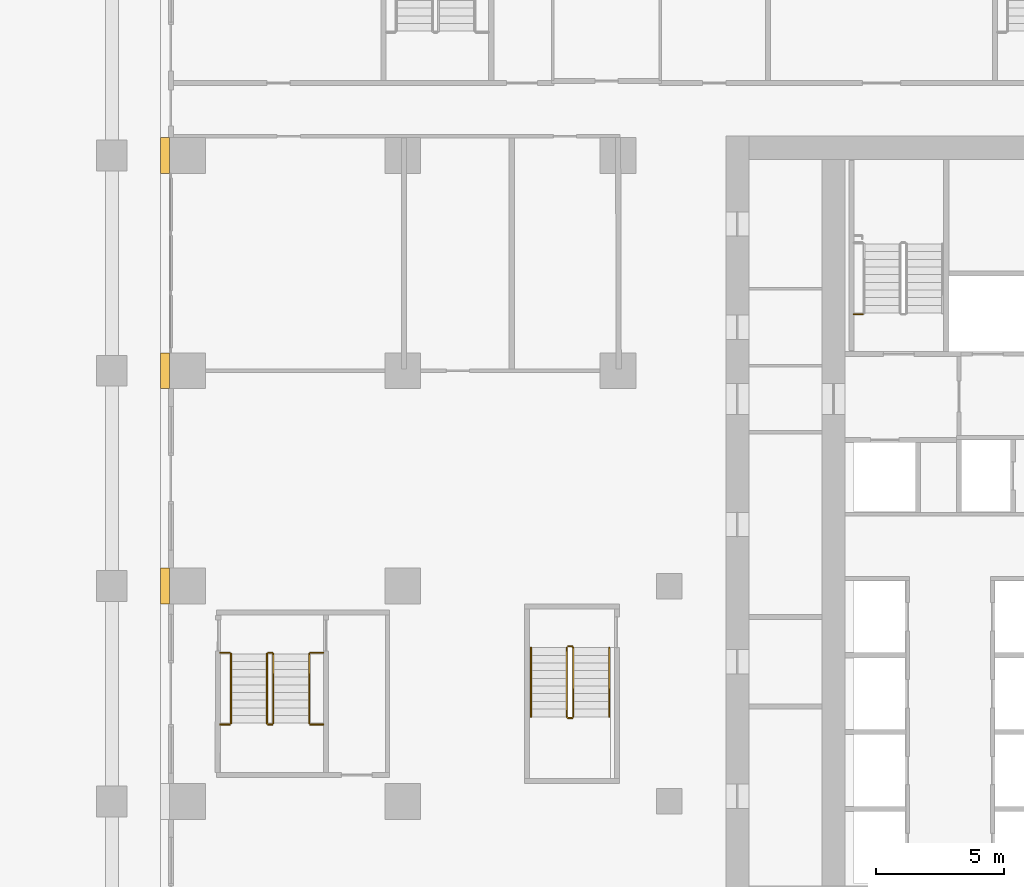
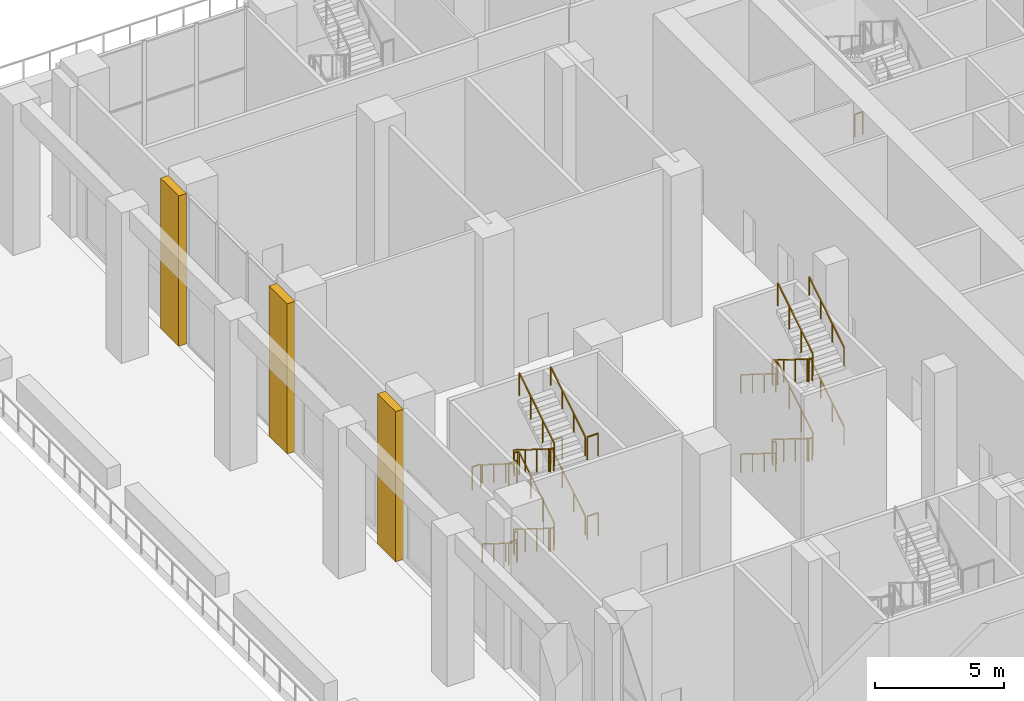
# One storey, part 40 of 53: 25 railings, 3 coverings.
"""IFC4 building model written with IfcOpenShell, lengths in metres."""

from ifc_helpers import new_model, si_unit, direction, frame, origin, origin_2d, place, context, subcontext, project, spatial, polyline, rectangle, outline, extrude, material, type_object, element, save


model = new_model("IFC4")

# Units and contexts
model_context = context("Model", 3, precision=1e-05, world=origin(), true_north=direction((0.0, 1.0)))
body_context = subcontext(model_context, "Body", "Model", "MODEL_VIEW")
ifc_project = project(units=[si_unit("LENGTHUNIT", "METRE"), si_unit("AREAUNIT", "SQUARE_METRE"), si_unit("VOLUMEUNIT", "CUBIC_METRE"), si_unit("PLANEANGLEUNIT", "RADIAN"), si_unit("MASSUNIT", "GRAM", prefix="KILO")], contexts=[model_context])

# Site, building, storey
site_placement = place(None, origin())
site = spatial("IfcSite", under=ifc_project, at=site_placement, CompositionType="ELEMENT")
building_placement = place(site_placement, origin())
building = spatial("IfcBuilding", under=site, at=building_placement, Name="Vermilion Ogive Tower", CompositionType="ELEMENT")
storey_placement = place(building_placement, origin())
storey = spatial("IfcBuildingStorey", under=building, at=storey_placement, Name="L00", CompositionType="ELEMENT", Elevation=0.0)

# Railings
ifc_material_1 = material(Name="Steel S355 painted", Category="steel")
railing_type_1 = type_object("IfcRailingType", Name="Stair guard 1100", PredefinedType="GUARDRAIL", material=ifc_material_1)
railing_1_placement = place(storey_placement, frame((-18.800048828125, 1.800048828125, 0.1875)))
element("IfcRailing", 1, at=railing_1_placement, inside=storey, type_object=railing_type_1, Name="L00 ST9 stair guard 1", PredefinedType="GUARDRAIL", context=body_context, shape_type="SweptSolid", body=[
    extrude(rectangle(XDim=0.048095703125, YDim=0.048095703125, at=origin_2d()), frame((0.0, 0.0, 1.076171875), z_axis=(0.0, -0.847993996163, 0.530005832488), x_axis=(1.0, 0.0, 0.0)), (0.0, 0.0, 1.0), 3.183837890625),
    extrude(rectangle(XDim=0.048095703125, YDim=0.048095703125, at=origin_2d()), frame((0.0, -2.699951171875, 2.763671875), z_axis=(0.707106781187, -0.707106781187, 0.0), x_axis=(0.707106781187, 0.707106781187, 0.0)), (0.0, 0.0, 1.0), 0.07080078125),
    extrude(rectangle(XDim=0.048095703125, YDim=0.048095703125, at=origin_2d()), frame((0.050048828125, -2.75, 2.763671875), z_axis=(1.0, 0.0, 0.0), x_axis=(0.0, 1.0, 0.0)), (0.0, 0.0, 1.0), 0.14990234375),
    extrude(rectangle(XDim=0.0419921875, YDim=0.0419921875, at=origin_2d()), origin(), (0.0, 0.0, 1.0), 1.052001953125),
    extrude(rectangle(XDim=0.0419921875, YDim=0.0419921875, at=origin_2d()), frame((0.0, -0.89990234375, 0.5625)), (0.0, 0.0, 1.0), 1.052001953125),
    extrude(rectangle(XDim=0.0419921875, YDim=0.0419921875, at=origin_2d()), frame((0.0, -1.800048828125, 1.125)), (0.0, 0.0, 1.0), 1.052001953125),
    extrude(rectangle(XDim=0.0419921875, YDim=0.0419921875, at=origin_2d()), frame((0.0, -2.699951171875, 1.6875)), (0.0, 0.0, 1.0), 1.052001953125),
    extrude(rectangle(XDim=0.0419921875, YDim=0.0419921875, at=origin_2d()), frame((0.050048828125, -2.75, 1.6875)), (0.0, 0.0, 1.0), 1.052001953125),
    extrude(rectangle(XDim=0.0419921875, YDim=0.0419921875, at=origin_2d()), frame((0.199951171875, -2.75, 1.6875)), (0.0, 0.0, 1.0), 1.052001953125),
])
railing_2_placement = place(storey_placement, frame((-18.550048828125, -0.89990234375, 2.0625)))
element("IfcRailing", 2, at=railing_2_placement, inside=storey, type_object=railing_type_1, Name="L00 ST9 stair guard 3", PredefinedType="GUARDRAIL", context=body_context, shape_type="SweptSolid", body=[
    extrude(rectangle(XDim=0.048095703125, YDim=0.048095703125, at=origin_2d()), frame((0.0, 0.0, 1.076171875), z_axis=(0.0, 0.847993996163, 0.530005832488), x_axis=(-1.0, 0.0, 0.0)), (0.0, 0.0, 1.0), 3.183837890625),
    extrude(rectangle(XDim=0.048095703125, YDim=0.048095703125, at=origin_2d()), frame((0.0, 2.699951171875, 2.763671875), z_axis=(-0.707106781187, 0.707106781187, 0.0), x_axis=(-0.707106781187, -0.707106781187, 0.0)), (0.0, 0.0, 1.0), 0.07080078125),
    extrude(rectangle(XDim=0.048095703125, YDim=0.048095703125, at=origin_2d()), frame((-0.050048828125, 2.75, 2.763671875), z_axis=(-1.0, 0.0, 0.0), x_axis=(0.0, -1.0, 0.0)), (0.0, 0.0, 1.0), 0.14990234375),
    extrude(rectangle(XDim=0.0419921875, YDim=0.0419921875, at=origin_2d()), origin(), (0.0, 0.0, 1.0), 1.052001953125),
    extrude(rectangle(XDim=0.0419921875, YDim=0.0419921875, at=origin_2d()), frame((0.0, 0.89990234375, 0.5625)), (0.0, 0.0, 1.0), 1.052001953125),
    extrude(rectangle(XDim=0.0419921875, YDim=0.0419921875, at=origin_2d()), frame((0.0, 1.800048828125, 1.125)), (0.0, 0.0, 1.0), 1.052001953125),
    extrude(rectangle(XDim=0.0419921875, YDim=0.0419921875, at=origin_2d()), frame((0.0, 2.699951171875, 1.6875)), (0.0, 0.0, 1.0), 1.052001953125),
    extrude(rectangle(XDim=0.0419921875, YDim=0.0419921875, at=origin_2d()), frame((-0.050048828125, 2.75, 1.6875)), (0.0, 0.0, 1.0), 1.052001953125),
    extrude(rectangle(XDim=0.0419921875, YDim=0.0419921875, at=origin_2d()), frame((-0.199951171875, 2.75, 1.6875)), (0.0, 0.0, 1.0), 1.052001953125),
])
railing_3_placement = place(storey_placement, frame((-18.800048828125, 1.800048828125, 3.9375)))
element("IfcRailing", 3, at=railing_3_placement, inside=storey, type_object=railing_type_1, Name="L00 ST9 stair guard 5", PredefinedType="GUARDRAIL", context=body_context, shape_type="SweptSolid", body=[
    extrude(rectangle(XDim=0.048095703125, YDim=0.048095703125, at=origin_2d()), frame((0.0, 0.0, 1.076171875), z_axis=(0.0, -0.847993996163, 0.530005832488), x_axis=(1.0, 0.0, 0.0)), (0.0, 0.0, 1.0), 3.183837890625),
    extrude(rectangle(XDim=0.048095703125, YDim=0.048095703125, at=origin_2d()), frame((0.0, -2.699951171875, 2.763671875), z_axis=(0.707106781187, -0.707106781187, 0.0), x_axis=(0.707106781187, 0.707106781187, 0.0)), (0.0, 0.0, 1.0), 0.07080078125),
    extrude(rectangle(XDim=0.048095703125, YDim=0.048095703125, at=origin_2d()), frame((0.050048828125, -2.75, 2.763671875), z_axis=(1.0, 0.0, 0.0), x_axis=(0.0, 1.0, 0.0)), (0.0, 0.0, 1.0), 0.14990234375),
    extrude(rectangle(XDim=0.0419921875, YDim=0.0419921875, at=origin_2d()), origin(), (0.0, 0.0, 1.0), 1.052001953125),
    extrude(rectangle(XDim=0.0419921875, YDim=0.0419921875, at=origin_2d()), frame((0.0, -0.89990234375, 0.5625)), (0.0, 0.0, 1.0), 1.052001953125),
    extrude(rectangle(XDim=0.0419921875, YDim=0.0419921875, at=origin_2d()), frame((0.0, -1.800048828125, 1.125)), (0.0, 0.0, 1.0), 1.052001953125),
    extrude(rectangle(XDim=0.0419921875, YDim=0.0419921875, at=origin_2d()), frame((0.0, -2.699951171875, 1.6875)), (0.0, 0.0, 1.0), 1.052001953125),
    extrude(rectangle(XDim=0.0419921875, YDim=0.0419921875, at=origin_2d()), frame((0.050048828125, -2.75, 1.6875)), (0.0, 0.0, 1.0), 1.052001953125),
    extrude(rectangle(XDim=0.0419921875, YDim=0.0419921875, at=origin_2d()), frame((0.199951171875, -2.75, 1.6875)), (0.0, 0.0, 1.0), 1.052001953125),
])
railing_4_placement = place(storey_placement, frame((-18.550048828125, -0.89990234375, 5.8125)))
element("IfcRailing", 4, at=railing_4_placement, inside=storey, type_object=railing_type_1, Name="L00 ST9 stair guard 7", PredefinedType="GUARDRAIL", context=body_context, shape_type="SweptSolid", body=[
    extrude(rectangle(XDim=0.048095703125, YDim=0.048095703125, at=origin_2d()), frame((0.0, 0.0, 1.076171875), z_axis=(0.0, 0.847993996163, 0.530005832488), x_axis=(-1.0, 0.0, 0.0)), (0.0, 0.0, 1.0), 3.183837890625),
    extrude(rectangle(XDim=0.0419921875, YDim=0.0419921875, at=origin_2d()), origin(), (0.0, 0.0, 1.0), 1.052001953125),
    extrude(rectangle(XDim=0.0419921875, YDim=0.0419921875, at=origin_2d()), frame((0.0, 0.89990234375, 0.5625)), (0.0, 0.0, 1.0), 1.052001953125),
    extrude(rectangle(XDim=0.0419921875, YDim=0.0419921875, at=origin_2d()), frame((0.0, 1.800048828125, 1.125)), (0.0, 0.0, 1.0), 1.052001953125),
    extrude(rectangle(XDim=0.0419921875, YDim=0.0419921875, at=origin_2d()), frame((0.0, 2.699951171875, 1.6875)), (0.0, 0.0, 1.0), 1.052001953125),
])
railing_5_placement = place(storey_placement, frame((-18.75, 1.85009765625, 0.0)))
element("IfcRailing", 5, at=railing_5_placement, inside=storey, type_object=railing_type_1, Name="L00 ST9 stair guard 8", PredefinedType="GUARDRAIL", context=body_context, shape_type="SweptSolid", body=[
    extrude(rectangle(XDim=0.048095703125, YDim=0.048095703125, at=origin_2d()), frame((0.0, 0.0, 1.076171875), z_axis=(1.0, 0.0, 0.0), x_axis=(0.0, 1.0, 0.0)), (0.0, 0.0, 1.0), 0.14990234375),
    extrude(rectangle(XDim=0.0419921875, YDim=0.0419921875, at=origin_2d()), origin(), (0.0, 0.0, 1.0), 1.052001953125),
    extrude(rectangle(XDim=0.0419921875, YDim=0.0419921875, at=origin_2d()), frame((0.14990234375, 0.0, 0.0)), (0.0, 0.0, 1.0), 1.052001953125),
])
railing_6_placement = place(storey_placement, frame((-30.5, 1.550048828125, 0.1875)))
element("IfcRailing", 6, at=railing_6_placement, inside=storey, type_object=railing_type_1, Name="L00 PWC stair guard 1", PredefinedType="GUARDRAIL", context=body_context, shape_type="SweptSolid", body=[
    extrude(rectangle(XDim=0.048095703125, YDim=0.048095703125, at=origin_2d()), frame((0.0, 0.0, 1.076171875), z_axis=(0.0, -0.847993996163, 0.530005832488), x_axis=(1.0, 0.0, 0.0)), (0.0, 0.0, 1.0), 3.183837890625),
    extrude(rectangle(XDim=0.048095703125, YDim=0.048095703125, at=origin_2d()), frame((0.0, -2.699951171875, 2.763671875), z_axis=(0.707106781187, -0.707106781187, 0.0), x_axis=(0.707106781187, 0.707106781187, 0.0)), (0.0, 0.0, 1.0), 0.07080078125),
    extrude(rectangle(XDim=0.048095703125, YDim=0.048095703125, at=origin_2d()), frame((0.050048828125, -2.75, 2.763671875), z_axis=(1.0, 0.0, 0.0), x_axis=(0.0, 1.0, 0.0)), (0.0, 0.0, 1.0), 0.14990234375),
    extrude(rectangle(XDim=0.0419921875, YDim=0.0419921875, at=origin_2d()), origin(), (0.0, 0.0, 1.0), 1.052001953125),
    extrude(rectangle(XDim=0.0419921875, YDim=0.0419921875, at=origin_2d()), frame((0.0, -0.89990234375, 0.5625)), (0.0, 0.0, 1.0), 1.052001953125),
    extrude(rectangle(XDim=0.0419921875, YDim=0.0419921875, at=origin_2d()), frame((0.0, -1.800048828125, 1.125)), (0.0, 0.0, 1.0), 1.052001953125),
    extrude(rectangle(XDim=0.0419921875, YDim=0.0419921875, at=origin_2d()), frame((0.0, -2.699951171875, 1.6875)), (0.0, 0.0, 1.0), 1.052001953125),
    extrude(rectangle(XDim=0.0419921875, YDim=0.0419921875, at=origin_2d()), frame((0.050048828125, -2.75, 1.6875)), (0.0, 0.0, 1.0), 1.052001953125),
    extrude(rectangle(XDim=0.0419921875, YDim=0.0419921875, at=origin_2d()), frame((0.199951171875, -2.75, 1.6875)), (0.0, 0.0, 1.0), 1.052001953125),
])
railing_7_placement = place(storey_placement, frame((-30.25, -1.14990234375, 2.0625)))
element("IfcRailing", 7, at=railing_7_placement, inside=storey, type_object=railing_type_1, Name="L00 PWC stair guard 3", PredefinedType="GUARDRAIL", context=body_context, shape_type="SweptSolid", body=[
    extrude(rectangle(XDim=0.048095703125, YDim=0.048095703125, at=origin_2d()), frame((0.0, 0.0, 1.076171875), z_axis=(0.0, 0.847993996163, 0.530005832488), x_axis=(-1.0, 0.0, 0.0)), (0.0, 0.0, 1.0), 3.183837890625),
    extrude(rectangle(XDim=0.048095703125, YDim=0.048095703125, at=origin_2d()), frame((0.0, 2.699951171875, 2.763671875), z_axis=(-0.707106781187, 0.707106781187, 0.0), x_axis=(-0.707106781187, -0.707106781187, 0.0)), (0.0, 0.0, 1.0), 0.07080078125),
    extrude(rectangle(XDim=0.048095703125, YDim=0.048095703125, at=origin_2d()), frame((-0.050048828125, 2.75, 2.763671875), z_axis=(-1.0, 0.0, 0.0), x_axis=(0.0, -1.0, 0.0)), (0.0, 0.0, 1.0), 0.14990234375),
    extrude(rectangle(XDim=0.0419921875, YDim=0.0419921875, at=origin_2d()), origin(), (0.0, 0.0, 1.0), 1.052001953125),
    extrude(rectangle(XDim=0.0419921875, YDim=0.0419921875, at=origin_2d()), frame((0.0, 0.89990234375, 0.5625)), (0.0, 0.0, 1.0), 1.052001953125),
    extrude(rectangle(XDim=0.0419921875, YDim=0.0419921875, at=origin_2d()), frame((0.0, 1.800048828125, 1.125)), (0.0, 0.0, 1.0), 1.052001953125),
    extrude(rectangle(XDim=0.0419921875, YDim=0.0419921875, at=origin_2d()), frame((0.0, 2.699951171875, 1.6875)), (0.0, 0.0, 1.0), 1.052001953125),
    extrude(rectangle(XDim=0.0419921875, YDim=0.0419921875, at=origin_2d()), frame((-0.050048828125, 2.75, 1.6875)), (0.0, 0.0, 1.0), 1.052001953125),
    extrude(rectangle(XDim=0.0419921875, YDim=0.0419921875, at=origin_2d()), frame((-0.199951171875, 2.75, 1.6875)), (0.0, 0.0, 1.0), 1.052001953125),
])
railing_8_placement = place(storey_placement, frame((-30.5, 1.550048828125, 3.9375)))
element("IfcRailing", 8, at=railing_8_placement, inside=storey, type_object=railing_type_1, Name="L00 PWC stair guard 5", PredefinedType="GUARDRAIL", context=body_context, shape_type="SweptSolid", body=[
    extrude(rectangle(XDim=0.048095703125, YDim=0.048095703125, at=origin_2d()), frame((0.0, 0.0, 1.076171875), z_axis=(0.0, -0.847993996163, 0.530005832488), x_axis=(1.0, 0.0, 0.0)), (0.0, 0.0, 1.0), 3.183837890625),
    extrude(rectangle(XDim=0.048095703125, YDim=0.048095703125, at=origin_2d()), frame((0.0, -2.699951171875, 2.763671875), z_axis=(0.707106781187, -0.707106781187, 0.0), x_axis=(0.707106781187, 0.707106781187, 0.0)), (0.0, 0.0, 1.0), 0.07080078125),
    extrude(rectangle(XDim=0.048095703125, YDim=0.048095703125, at=origin_2d()), frame((0.050048828125, -2.75, 2.763671875), z_axis=(1.0, 0.0, 0.0), x_axis=(0.0, 1.0, 0.0)), (0.0, 0.0, 1.0), 0.14990234375),
    extrude(rectangle(XDim=0.0419921875, YDim=0.0419921875, at=origin_2d()), origin(), (0.0, 0.0, 1.0), 1.052001953125),
    extrude(rectangle(XDim=0.0419921875, YDim=0.0419921875, at=origin_2d()), frame((0.0, -0.89990234375, 0.5625)), (0.0, 0.0, 1.0), 1.052001953125),
    extrude(rectangle(XDim=0.0419921875, YDim=0.0419921875, at=origin_2d()), frame((0.0, -1.800048828125, 1.125)), (0.0, 0.0, 1.0), 1.052001953125),
    extrude(rectangle(XDim=0.0419921875, YDim=0.0419921875, at=origin_2d()), frame((0.0, -2.699951171875, 1.6875)), (0.0, 0.0, 1.0), 1.052001953125),
    extrude(rectangle(XDim=0.0419921875, YDim=0.0419921875, at=origin_2d()), frame((0.050048828125, -2.75, 1.6875)), (0.0, 0.0, 1.0), 1.052001953125),
    extrude(rectangle(XDim=0.0419921875, YDim=0.0419921875, at=origin_2d()), frame((0.199951171875, -2.75, 1.6875)), (0.0, 0.0, 1.0), 1.052001953125),
])
railing_9_placement = place(storey_placement, frame((-30.25, -1.14990234375, 5.8125)))
element("IfcRailing", 9, at=railing_9_placement, inside=storey, type_object=railing_type_1, Name="L00 PWC stair guard 7", PredefinedType="GUARDRAIL", context=body_context, shape_type="SweptSolid", body=[
    extrude(rectangle(XDim=0.048095703125, YDim=0.048095703125, at=origin_2d()), frame((0.0, 0.0, 1.076171875), z_axis=(0.0, 0.847993996163, 0.530005832488), x_axis=(-1.0, 0.0, 0.0)), (0.0, 0.0, 1.0), 3.183837890625),
    extrude(rectangle(XDim=0.0419921875, YDim=0.0419921875, at=origin_2d()), origin(), (0.0, 0.0, 1.0), 1.052001953125),
    extrude(rectangle(XDim=0.0419921875, YDim=0.0419921875, at=origin_2d()), frame((0.0, 0.89990234375, 0.5625)), (0.0, 0.0, 1.0), 1.052001953125),
    extrude(rectangle(XDim=0.0419921875, YDim=0.0419921875, at=origin_2d()), frame((0.0, 1.800048828125, 1.125)), (0.0, 0.0, 1.0), 1.052001953125),
    extrude(rectangle(XDim=0.0419921875, YDim=0.0419921875, at=origin_2d()), frame((0.0, 2.699951171875, 1.6875)), (0.0, 0.0, 1.0), 1.052001953125),
])
railing_10_placement = place(storey_placement, frame((-30.449951171875, 1.60009765625, 0.0)))
element("IfcRailing", 10, at=railing_10_placement, inside=storey, type_object=railing_type_1, Name="L00 PWC stair guard 8", PredefinedType="GUARDRAIL", context=body_context, shape_type="SweptSolid", body=[
    extrude(rectangle(XDim=0.048095703125, YDim=0.048095703125, at=origin_2d()), frame((0.0, 0.0, 1.076171875), z_axis=(1.0, 0.0, 0.0), x_axis=(0.0, 1.0, 0.0)), (0.0, 0.0, 1.0), 0.14990234375),
    extrude(rectangle(XDim=0.0419921875, YDim=0.0419921875, at=origin_2d()), origin(), (0.0, 0.0, 1.0), 1.052001953125),
    extrude(rectangle(XDim=0.0419921875, YDim=0.0419921875, at=origin_2d()), frame((0.14990234375, 0.0, 0.0)), (0.0, 0.0, 1.0), 1.052001953125),
])
railing_11_placement = place(storey_placement, frame((-7.60009765625, 14.800048828125, 3.75)))
element("IfcRailing", 11, at=railing_11_placement, inside=storey, type_object=railing_type_1, Name="L00 landing guard", PredefinedType="GUARDRAIL", context=body_context, shape_type="SweptSolid", body=[
    extrude(rectangle(XDim=0.048095703125, YDim=0.048095703125, at=origin_2d()), frame((0.0, 0.0, 1.076171875), z_axis=(1.0, 0.0, 0.0), x_axis=(0.0, 1.0, 0.0)), (0.0, 0.0, 1.0), 0.35009765625),
    extrude(rectangle(XDim=0.0419921875, YDim=0.0419921875, at=origin_2d()), origin(), (0.0, 0.0, 1.0), 1.052001953125),
    extrude(rectangle(XDim=0.0419921875, YDim=0.0419921875, at=origin_2d()), frame((0.35009765625, 0.0, 0.0)), (0.0, 0.0, 1.0), 1.052001953125),
])
railing_12_placement = place(storey_placement, frame((-32.3125, -1.199951171875, 1.875)))
element("IfcRailing", 12, at=railing_12_placement, inside=storey, type_object=railing_type_1, Name="L00 landing guard", PredefinedType="GUARDRAIL", context=body_context, shape_type="SweptSolid", body=[
    extrude(rectangle(XDim=0.048095703125, YDim=0.048095703125, at=origin_2d()), frame((0.0, 0.0, 1.076171875), z_axis=(1.0, 0.0, 0.0), x_axis=(0.0, 1.0, 0.0)), (0.0, 0.0, 1.0), 0.362548828125),
    extrude(rectangle(XDim=0.0419921875, YDim=0.0419921875, at=origin_2d()), origin(), (0.0, 0.0, 1.0), 1.052001953125),
    extrude(rectangle(XDim=0.0419921875, YDim=0.0419921875, at=origin_2d()), frame((0.362548828125, 0.0, 0.0)), (0.0, 0.0, 1.0), 1.052001953125),
])
railing_13_placement = place(storey_placement, frame((-28.800048828125, -1.199951171875, 1.875)))
element("IfcRailing", 13, at=railing_13_placement, inside=storey, type_object=railing_type_1, Name="L00 landing guard", PredefinedType="GUARDRAIL", context=body_context, shape_type="SweptSolid", body=[
    extrude(rectangle(XDim=0.048095703125, YDim=0.048095703125, at=origin_2d()), frame((0.0, 0.0, 1.076171875), z_axis=(1.0, 0.0, 0.0), x_axis=(0.0, 1.0, 0.0)), (0.0, 0.0, 1.0), 0.5),
    extrude(rectangle(XDim=0.0419921875, YDim=0.0419921875, at=origin_2d()), origin(), (0.0, 0.0, 1.0), 1.052001953125),
    extrude(rectangle(XDim=0.0419921875, YDim=0.0419921875, at=origin_2d()), frame((0.5, 0.0, 0.0)), (0.0, 0.0, 1.0), 1.052001953125),
])
railing_14_placement = place(storey_placement, frame((-32.3125, 1.60009765625, 3.75)))
element("IfcRailing", 14, at=railing_14_placement, inside=storey, type_object=railing_type_1, Name="L00 landing guard", PredefinedType="GUARDRAIL", context=body_context, shape_type="SweptSolid", body=[
    extrude(rectangle(XDim=0.048095703125, YDim=0.048095703125, at=origin_2d()), frame((0.0, 0.0, 1.076171875), z_axis=(1.0, 0.0, 0.0), x_axis=(0.0, 1.0, 0.0)), (0.0, 0.0, 1.0), 0.362548828125),
    extrude(rectangle(XDim=0.0419921875, YDim=0.0419921875, at=origin_2d()), origin(), (0.0, 0.0, 1.0), 1.052001953125),
    extrude(rectangle(XDim=0.0419921875, YDim=0.0419921875, at=origin_2d()), frame((0.362548828125, 0.0, 0.0)), (0.0, 0.0, 1.0), 1.052001953125),
])
railing_15_placement = place(storey_placement, frame((-28.800048828125, 1.60009765625, 3.75)))
element("IfcRailing", 15, at=railing_15_placement, inside=storey, type_object=railing_type_1, Name="L00 landing guard", PredefinedType="GUARDRAIL", context=body_context, shape_type="SweptSolid", body=[
    extrude(rectangle(XDim=0.048095703125, YDim=0.048095703125, at=origin_2d()), frame((0.0, 0.0, 1.076171875), z_axis=(1.0, 0.0, 0.0), x_axis=(0.0, 1.0, 0.0)), (0.0, 0.0, 1.0), 0.5),
    extrude(rectangle(XDim=0.0419921875, YDim=0.0419921875, at=origin_2d()), origin(), (0.0, 0.0, 1.0), 1.052001953125),
    extrude(rectangle(XDim=0.0419921875, YDim=0.0419921875, at=origin_2d()), frame((0.5, 0.0, 0.0)), (0.0, 0.0, 1.0), 1.052001953125),
])
railing_16_placement = place(storey_placement, frame((-32.3125, -1.199951171875, 5.625)))
element("IfcRailing", 16, at=railing_16_placement, inside=storey, type_object=railing_type_1, Name="L00 landing guard", PredefinedType="GUARDRAIL", context=body_context, shape_type="SweptSolid", body=[
    extrude(rectangle(XDim=0.048095703125, YDim=0.048095703125, at=origin_2d()), frame((0.0, 0.0, 1.076171875), z_axis=(1.0, 0.0, 0.0), x_axis=(0.0, 1.0, 0.0)), (0.0, 0.0, 1.0), 0.362548828125),
    extrude(rectangle(XDim=0.0419921875, YDim=0.0419921875, at=origin_2d()), origin(), (0.0, 0.0, 1.0), 1.052001953125),
    extrude(rectangle(XDim=0.0419921875, YDim=0.0419921875, at=origin_2d()), frame((0.362548828125, 0.0, 0.0)), (0.0, 0.0, 1.0), 1.052001953125),
])
railing_17_placement = place(storey_placement, frame((-28.800048828125, -1.199951171875, 5.625)))
element("IfcRailing", 17, at=railing_17_placement, inside=storey, type_object=railing_type_1, Name="L00 landing guard", PredefinedType="GUARDRAIL", context=body_context, shape_type="SweptSolid", body=[
    extrude(rectangle(XDim=0.048095703125, YDim=0.048095703125, at=origin_2d()), frame((0.0, 0.0, 1.076171875), z_axis=(1.0, 0.0, 0.0), x_axis=(0.0, 1.0, 0.0)), (0.0, 0.0, 1.0), 0.5),
    extrude(rectangle(XDim=0.0419921875, YDim=0.0419921875, at=origin_2d()), origin(), (0.0, 0.0, 1.0), 1.052001953125),
    extrude(rectangle(XDim=0.0419921875, YDim=0.0419921875, at=origin_2d()), frame((0.5, 0.0, 0.0)), (0.0, 0.0, 1.0), 1.052001953125),
])
ifc_material_2 = material(Name="Stainless steel", Category="steel")
railing_type_2 = type_object("IfcRailingType", Name="Stair handrail 900", PredefinedType="HANDRAIL", material=ifc_material_2)
railing_18_placement = place(storey_placement, frame((-20.199951171875, 1.800048828125, 0.1875)))
element("IfcRailing", 18, at=railing_18_placement, inside=storey, type_object=railing_type_2, Name="L00 ST9 stair handrail 1", PredefinedType="HANDRAIL", context=body_context, shape_type="SweptSolid", body=[
    extrude(rectangle(XDim=0.048095703125, YDim=0.048095703125, at=origin_2d()), frame((0.0, 0.0, 0.8759765625), z_axis=(0.0, -0.847993996163, 0.530005832488), x_axis=(1.0, 0.0, 0.0)), (0.0, 0.0, 1.0), 3.183837890625),
    extrude(rectangle(XDim=0.0419921875, YDim=0.0419921875, at=origin_2d()), origin(), (0.0, 0.0, 1.0), 0.851806640625),
    extrude(rectangle(XDim=0.0419921875, YDim=0.0419921875, at=origin_2d()), frame((0.0, -0.89990234375, 0.5625)), (0.0, 0.0, 1.0), 0.851806640625),
    extrude(rectangle(XDim=0.0419921875, YDim=0.0419921875, at=origin_2d()), frame((0.0, -1.800048828125, 1.125)), (0.0, 0.0, 1.0), 0.851806640625),
    extrude(rectangle(XDim=0.0419921875, YDim=0.0419921875, at=origin_2d()), frame((0.0, -2.699951171875, 1.6875)), (0.0, 0.0, 1.0), 0.851806640625),
])
railing_19_placement = place(storey_placement, frame((-17.14990234375, -0.89990234375, 2.0625)))
element("IfcRailing", 19, at=railing_19_placement, inside=storey, type_object=railing_type_2, Name="L00 ST9 stair handrail 2", PredefinedType="HANDRAIL", context=body_context, shape_type="SweptSolid", body=[
    extrude(rectangle(XDim=0.048095703125, YDim=0.048095703125, at=origin_2d()), frame((0.0, 0.0, 0.8759765625), z_axis=(0.0, 0.847993996163, 0.530005832488), x_axis=(-1.0, 0.0, 0.0)), (0.0, 0.0, 1.0), 3.183837890625),
    extrude(rectangle(XDim=0.0419921875, YDim=0.0419921875, at=origin_2d()), origin(), (0.0, 0.0, 1.0), 0.851806640625),
    extrude(rectangle(XDim=0.0419921875, YDim=0.0419921875, at=origin_2d()), frame((0.0, 0.89990234375, 0.5625)), (0.0, 0.0, 1.0), 0.851806640625),
    extrude(rectangle(XDim=0.0419921875, YDim=0.0419921875, at=origin_2d()), frame((0.0, 1.800048828125, 1.125)), (0.0, 0.0, 1.0), 0.851806640625),
    extrude(rectangle(XDim=0.0419921875, YDim=0.0419921875, at=origin_2d()), frame((0.0, 2.699951171875, 1.6875)), (0.0, 0.0, 1.0), 0.851806640625),
])
railing_20_placement = place(storey_placement, frame((-20.199951171875, 1.800048828125, 3.9375)))
element("IfcRailing", 20, at=railing_20_placement, inside=storey, type_object=railing_type_2, Name="L00 ST9 stair handrail 3", PredefinedType="HANDRAIL", context=body_context, shape_type="SweptSolid", body=[
    extrude(rectangle(XDim=0.048095703125, YDim=0.048095703125, at=origin_2d()), frame((0.0, 0.0, 0.8759765625), z_axis=(0.0, -0.847993996163, 0.530005832488), x_axis=(1.0, 0.0, 0.0)), (0.0, 0.0, 1.0), 3.183837890625),
    extrude(rectangle(XDim=0.0419921875, YDim=0.0419921875, at=origin_2d()), origin(), (0.0, 0.0, 1.0), 0.851806640625),
    extrude(rectangle(XDim=0.0419921875, YDim=0.0419921875, at=origin_2d()), frame((0.0, -0.89990234375, 0.5625)), (0.0, 0.0, 1.0), 0.851806640625),
    extrude(rectangle(XDim=0.0419921875, YDim=0.0419921875, at=origin_2d()), frame((0.0, -1.800048828125, 1.125)), (0.0, 0.0, 1.0), 0.851806640625),
    extrude(rectangle(XDim=0.0419921875, YDim=0.0419921875, at=origin_2d()), frame((0.0, -2.699951171875, 1.6875)), (0.0, 0.0, 1.0), 0.851806640625),
])
railing_21_placement = place(storey_placement, frame((-17.14990234375, -0.89990234375, 5.8125)))
element("IfcRailing", 21, at=railing_21_placement, inside=storey, type_object=railing_type_2, Name="L00 ST9 stair handrail 4", PredefinedType="HANDRAIL", context=body_context, shape_type="SweptSolid", body=[
    extrude(rectangle(XDim=0.048095703125, YDim=0.048095703125, at=origin_2d()), frame((0.0, 0.0, 0.8759765625), z_axis=(0.0, 0.847993996163, 0.530005832488), x_axis=(-1.0, 0.0, 0.0)), (0.0, 0.0, 1.0), 3.183837890625),
    extrude(rectangle(XDim=0.0419921875, YDim=0.0419921875, at=origin_2d()), origin(), (0.0, 0.0, 1.0), 0.851806640625),
    extrude(rectangle(XDim=0.0419921875, YDim=0.0419921875, at=origin_2d()), frame((0.0, 0.89990234375, 0.5625)), (0.0, 0.0, 1.0), 0.851806640625),
    extrude(rectangle(XDim=0.0419921875, YDim=0.0419921875, at=origin_2d()), frame((0.0, 1.800048828125, 1.125)), (0.0, 0.0, 1.0), 0.851806640625),
    extrude(rectangle(XDim=0.0419921875, YDim=0.0419921875, at=origin_2d()), frame((0.0, 2.699951171875, 1.6875)), (0.0, 0.0, 1.0), 0.851806640625),
])
railing_22_placement = place(storey_placement, frame((-31.89990234375, 1.550048828125, 0.1875)))
element("IfcRailing", 22, at=railing_22_placement, inside=storey, type_object=railing_type_2, Name="L00 PWC stair handrail 1", PredefinedType="HANDRAIL", context=body_context, shape_type="SweptSolid", body=[
    extrude(rectangle(XDim=0.048095703125, YDim=0.048095703125, at=origin_2d()), frame((0.0, 0.0, 0.8759765625), z_axis=(0.0, -0.847993996163, 0.530005832488), x_axis=(1.0, 0.0, 0.0)), (0.0, 0.0, 1.0), 3.183837890625),
    extrude(rectangle(XDim=0.0419921875, YDim=0.0419921875, at=origin_2d()), origin(), (0.0, 0.0, 1.0), 0.851806640625),
    extrude(rectangle(XDim=0.0419921875, YDim=0.0419921875, at=origin_2d()), frame((0.0, -0.89990234375, 0.5625)), (0.0, 0.0, 1.0), 0.851806640625),
    extrude(rectangle(XDim=0.0419921875, YDim=0.0419921875, at=origin_2d()), frame((0.0, -1.800048828125, 1.125)), (0.0, 0.0, 1.0), 0.851806640625),
    extrude(rectangle(XDim=0.0419921875, YDim=0.0419921875, at=origin_2d()), frame((0.0, -2.699951171875, 1.6875)), (0.0, 0.0, 1.0), 0.851806640625),
])
railing_23_placement = place(storey_placement, frame((-28.85009765625, -1.14990234375, 2.0625)))
element("IfcRailing", 23, at=railing_23_placement, inside=storey, type_object=railing_type_2, Name="L00 PWC stair handrail 2", PredefinedType="HANDRAIL", context=body_context, shape_type="SweptSolid", body=[
    extrude(rectangle(XDim=0.048095703125, YDim=0.048095703125, at=origin_2d()), frame((0.0, 0.0, 0.8759765625), z_axis=(0.0, 0.847993996163, 0.530005832488), x_axis=(-1.0, 0.0, 0.0)), (0.0, 0.0, 1.0), 3.183837890625),
    extrude(rectangle(XDim=0.0419921875, YDim=0.0419921875, at=origin_2d()), origin(), (0.0, 0.0, 1.0), 0.851806640625),
    extrude(rectangle(XDim=0.0419921875, YDim=0.0419921875, at=origin_2d()), frame((0.0, 0.89990234375, 0.5625)), (0.0, 0.0, 1.0), 0.851806640625),
    extrude(rectangle(XDim=0.0419921875, YDim=0.0419921875, at=origin_2d()), frame((0.0, 1.800048828125, 1.125)), (0.0, 0.0, 1.0), 0.851806640625),
    extrude(rectangle(XDim=0.0419921875, YDim=0.0419921875, at=origin_2d()), frame((0.0, 2.699951171875, 1.6875)), (0.0, 0.0, 1.0), 0.851806640625),
])
railing_24_placement = place(storey_placement, frame((-31.89990234375, 1.550048828125, 3.9375)))
element("IfcRailing", 24, at=railing_24_placement, inside=storey, type_object=railing_type_2, Name="L00 PWC stair handrail 3", PredefinedType="HANDRAIL", context=body_context, shape_type="SweptSolid", body=[
    extrude(rectangle(XDim=0.048095703125, YDim=0.048095703125, at=origin_2d()), frame((0.0, 0.0, 0.8759765625), z_axis=(0.0, -0.847993996163, 0.530005832488), x_axis=(1.0, 0.0, 0.0)), (0.0, 0.0, 1.0), 3.183837890625),
    extrude(rectangle(XDim=0.0419921875, YDim=0.0419921875, at=origin_2d()), origin(), (0.0, 0.0, 1.0), 0.851806640625),
    extrude(rectangle(XDim=0.0419921875, YDim=0.0419921875, at=origin_2d()), frame((0.0, -0.89990234375, 0.5625)), (0.0, 0.0, 1.0), 0.851806640625),
    extrude(rectangle(XDim=0.0419921875, YDim=0.0419921875, at=origin_2d()), frame((0.0, -1.800048828125, 1.125)), (0.0, 0.0, 1.0), 0.851806640625),
    extrude(rectangle(XDim=0.0419921875, YDim=0.0419921875, at=origin_2d()), frame((0.0, -2.699951171875, 1.6875)), (0.0, 0.0, 1.0), 0.851806640625),
])
railing_25_placement = place(storey_placement, frame((-28.85009765625, -1.14990234375, 5.8125)))
element("IfcRailing", 25, at=railing_25_placement, inside=storey, type_object=railing_type_2, Name="L00 PWC stair handrail 4", PredefinedType="HANDRAIL", context=body_context, shape_type="SweptSolid", body=[
    extrude(rectangle(XDim=0.048095703125, YDim=0.048095703125, at=origin_2d()), frame((0.0, 0.0, 0.8759765625), z_axis=(0.0, 0.847993996163, 0.530005832488), x_axis=(-1.0, 0.0, 0.0)), (0.0, 0.0, 1.0), 3.183837890625),
    extrude(rectangle(XDim=0.0419921875, YDim=0.0419921875, at=origin_2d()), origin(), (0.0, 0.0, 1.0), 0.851806640625),
    extrude(rectangle(XDim=0.0419921875, YDim=0.0419921875, at=origin_2d()), frame((0.0, 0.89990234375, 0.5625)), (0.0, 0.0, 1.0), 0.851806640625),
    extrude(rectangle(XDim=0.0419921875, YDim=0.0419921875, at=origin_2d()), frame((0.0, 1.800048828125, 1.125)), (0.0, 0.0, 1.0), 0.851806640625),
    extrude(rectangle(XDim=0.0419921875, YDim=0.0419921875, at=origin_2d()), frame((0.0, 2.699951171875, 1.6875)), (0.0, 0.0, 1.0), 0.851806640625),
])

# Coverings
ifc_material_3 = material(Name="Stone cladding", Category="masonry")
covering_type = type_object("IfcCoveringType", Name="Stone pier", PredefinedType="CLADDING", material=ifc_material_3)
covering_1_placement = place(storey_placement, origin())
element("IfcCovering", 26, at=covering_1_placement, inside=storey, type_object=covering_type, Name="Stone pier P-336+042", PredefinedType="CLADDING", context=body_context, shape_type="SweptSolid", body=[
    extrude(outline(polyline([(-34.64990234375, 3.5), (-34.64990234375, 4.89990234375), (-34.300048828125, 4.89990234375), (-34.300048828125, 3.5), (-34.64990234375, 3.5)])), origin(), (0.0, 0.0, 1.0), 7.10009765625),
])
covering_2_placement = place(storey_placement, origin())
element("IfcCovering", 27, at=covering_2_placement, inside=storey, type_object=covering_type, Name="Stone pier P-336+126", PredefinedType="CLADDING", context=body_context, shape_type="SweptSolid", body=[
    extrude(outline(polyline([(-34.300048828125, 11.89990234375), (-34.64990234375, 11.89990234375), (-34.64990234375, 13.300048828125), (-34.300048828125, 13.300048828125), (-34.300048828125, 13.300048828125), (-34.300048828125, 11.89990234375)])), origin(), (0.0, 0.0, 1.0), 7.10009765625),
])
covering_3_placement = place(storey_placement, origin())
element("IfcCovering", 28, at=covering_3_placement, inside=storey, type_object=covering_type, Name="Stone pier P-336+210", PredefinedType="CLADDING", context=body_context, shape_type="SweptSolid", body=[
    extrude(outline(polyline([(-34.64990234375, 20.300048828125), (-34.64990234375, 21.699951171875), (-34.300048828125, 21.699951171875), (-34.300048828125, 20.300048828125), (-34.64990234375, 20.300048828125)])), origin(), (0.0, 0.0, 1.0), 7.10009765625),
])

save(model, "model.ifc")
